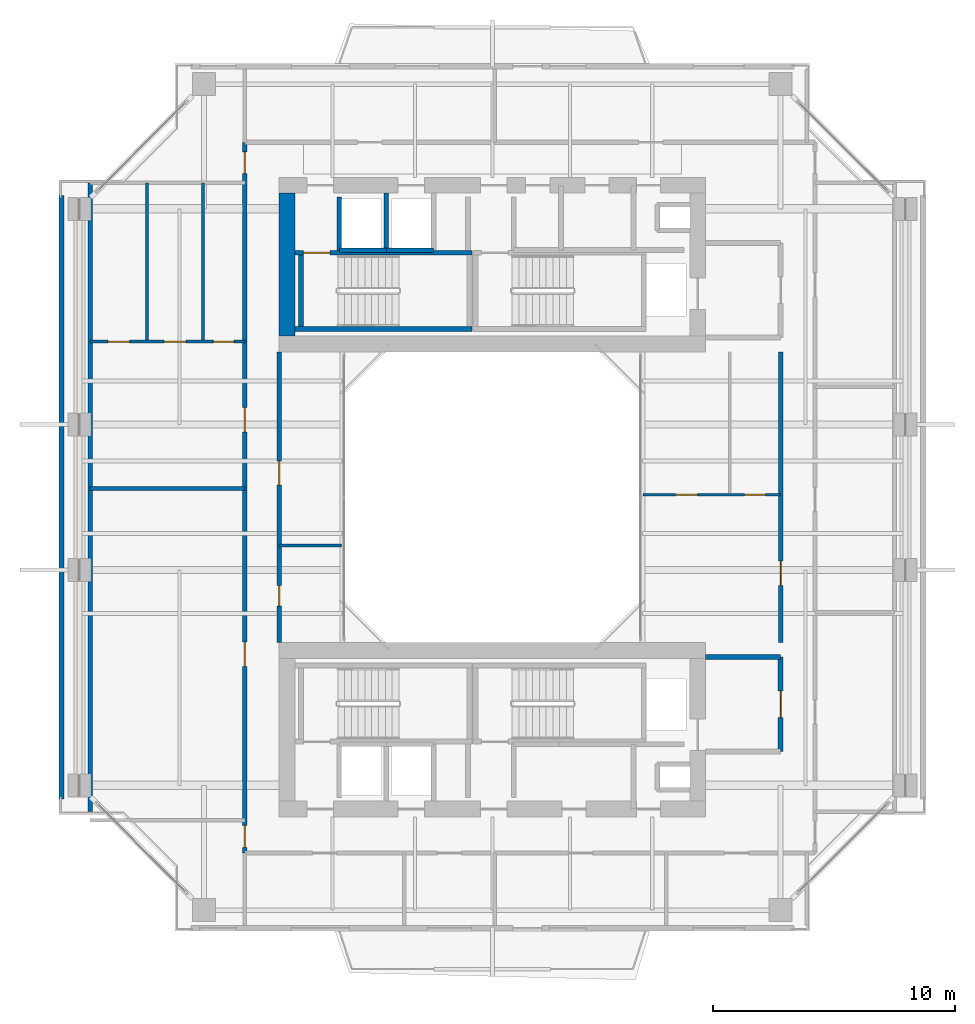
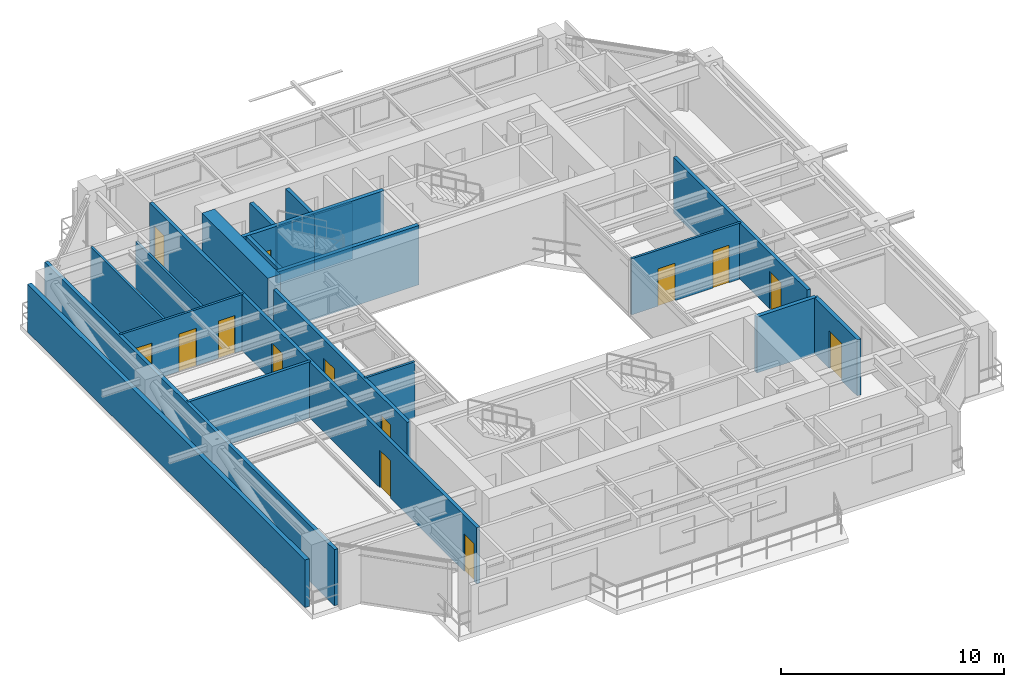
# One storey, part 9 of 14: 21 walls, 14 doors, 14 openings.
"""IFC4 building model written with IfcOpenShell, lengths in metres."""

from ifc_helpers import new_model, si_unit, direction, frame, frame_2d, origin, place, context, subcontext, project, spatial, rectangle, extrude, source, transform, mapped, material, layer, layer_set, type_object, element, fill, save


model = new_model("IFC4")

# Units and contexts
model_context = context("Model", 3, precision=1e-05, world=origin(), true_north=direction((0.0, 1.0)))
body_context = subcontext(model_context, "Body", "Model", "MODEL_VIEW")
ifc_project = project(units=[si_unit("LENGTHUNIT", "METRE"), si_unit("AREAUNIT", "SQUARE_METRE"), si_unit("VOLUMEUNIT", "CUBIC_METRE"), si_unit("PLANEANGLEUNIT", "RADIAN"), si_unit("MASSUNIT", "GRAM", prefix="KILO"), si_unit("THERMODYNAMICTEMPERATUREUNIT", "KELVIN"), si_unit("POWERUNIT", "WATT")], contexts=[model_context])

# Site, building, storey
site_placement = place(None, origin())
site = spatial("IfcSite", under=ifc_project, at=site_placement, CompositionType="ELEMENT")
building_placement = place(site_placement, origin())
building = spatial("IfcBuilding", under=site, at=building_placement, Name="Qiaomeng Ring Towers", CompositionType="ELEMENT")
storey_placement = place(building_placement, frame((0.0, 0.0, 176.25)))
storey = spatial("IfcBuildingStorey", under=building, at=storey_placement, Name="L51", CompositionType="ELEMENT", Elevation=176.25)

# Walls
ifc_material_1 = material(Name="Precast concrete C40", Category="concrete")
ifc_layer_1 = layer(ifc_material_1, 0.219970703125, Name="Precast concrete C40")
ifc_layer_set_1 = layer_set([ifc_layer_1], Name="Precast concrete C40")
wall_type_1 = type_object("IfcWallType", Name="ARC-WL-EW2", PredefinedType="STANDARD", material=ifc_layer_set_1)
wall_1_placement = place(storey_placement, frame((1.2099609375, 10.550048828125, 0.0), z_axis=(0.0, 0.0, 1.0), x_axis=(0.0, 1.0, 0.0)))
element("IfcWall", 1, at=wall_1_placement, inside=storey, type_object=wall_type_1, Name="L51 Tower 1 W Exterior Wall", PredefinedType="STANDARD", context=body_context, shape_type="SweptSolid", body=[
    extrude(rectangle(XDim=24.89990234375, YDim=0.219970703125, at=frame_2d((12.449951171875, 0.0))), origin(), (0.0, 0.0, 1.0), 2.610107421875),
])
ifc_material_2 = material(Name="Autoclaved aerated concrete block", Category="concrete")
ifc_layer_2 = layer(ifc_material_2, 0.199951171875, Name="Autoclaved aerated concrete block")
ifc_layer_set_2 = layer_set([ifc_layer_2], Name="Autoclaved aerated concrete block")
wall_type_2 = type_object("IfcWallType", Name="ARC-WL-PW1", PredefinedType="PARTITIONING", material=ifc_layer_set_2)
wall_2_placement = place(storey_placement, frame((27.800048828125, 16.39990234375, 0.0), z_axis=(0.0, 0.0, 1.0), x_axis=(1.0, 0.0, 0.0)))
element("IfcWall", 2, at=wall_2_placement, inside=storey, type_object=wall_type_2, Name="L51 Interior Wall PW1", PredefinedType="PARTITIONING", context=body_context, shape_type="SweptSolid", body=[
    extrude(rectangle(XDim=3.099853515625, YDim=0.199951171875, at=frame_2d((1.5498046875, 0.0))), origin(), (0.0, 0.0, 1.0), 3.070068359375),
])

# Wall, opening, door
wall_3_placement = place(storey_placement, frame((30.89990234375, 12.5, 0.0), z_axis=(0.0, 0.0, 1.0), x_axis=(0.0, 1.0, 0.0)))
wall_3 = element("IfcWall", 3, at=wall_3_placement, inside=storey, type_object=wall_type_2, Name="L51 Interior Wall PW1", PredefinedType="PARTITIONING", context=body_context, shape_type="SweptSolid", body=[
    extrude(rectangle(XDim=3.89990234375, YDim=0.199951171875, at=frame_2d((1.949951171875, 0.0))), origin(), (0.0, 0.0, 1.0), 3.070068359375),
])
opening_1_placement = place(wall_3_placement, frame((1.39990234375, 0.0, 0.0)))
opening_1 = element("IfcOpeningElement", 4, at=opening_1_placement, cuts=wall_3, Name="Opening FD3", PredefinedType="OPENING", context=body_context, shape_type="SweptSolid", body=[
    extrude(rectangle(XDim=1.10009765625, YDim=2.050048828125, at=frame_2d((0.550048828125, 1.02490234375))), frame((0.0, 0.10986328125, 0.0), z_axis=(0.0, -1.0, 0.0), x_axis=(1.0, 0.0, 0.0)), (0.0, 0.0, 1.0), 0.219970703125),
])
ifc_material_3 = material(Name="Galvanised steel", Category="steel")
door_type_1 = type_object("IfcDoorType", Name="ARC-DR-FD3", OperationType="NOTDEFINED", PredefinedType="DOOR", material=ifc_material_3)
shared_shape_1 = source(origin(), body_context, "Body", "SweptSolid", [
    extrude(rectangle(XDim=1.10009765625, YDim=2.050048828125, at=frame_2d((0.550048828125, 1.02490234375))), frame((0.0, 0.02490234375, 0.0), z_axis=(0.0, -1.0, 0.0), x_axis=(1.0, 0.0, 0.0)), (0.0, 0.0, 1.0), 0.050048828125),
])
door_1_placement = place(opening_1_placement, origin())
door_1 = element("IfcDoor", 5, at=door_1_placement, inside=storey, type_object=door_type_1, Name="L51 South FF Lobby Door", OperationType="SINGLE_SWING_RIGHT", OverallHeight=2.050048828125, OverallWidth=1.10009765625, PredefinedType="DOOR", context=body_context, shape_type="MappedRepresentation", body=[
    mapped(shared_shape_1, transform((0.0, 0.0, 0.0), x_axis=(1.0, 0.0, 0.0), y_axis=(0.0, 1.0, 0.0), z_axis=(0.0, 0.0, 1.0), scale=1.0)),
])
fill(opening_1, door_1)

# Walls
wall_4_placement = place(storey_placement, frame((12.679931640625, 33.18994140625, 0.0), z_axis=(0.0, 0.0, 1.0), x_axis=(0.0, 1.0, 0.0)))
element("IfcWall", 6, at=wall_4_placement, inside=storey, type_object=wall_type_2, Name="L51 Interior Wall PW1", PredefinedType="PARTITIONING", context=body_context, shape_type="SweptSolid", body=[
    extrude(rectangle(XDim=2.2099609375, YDim=0.199951171875, at=frame_2d((1.10498046875, 0.0))), origin(), (0.0, 0.0, 1.0), 3.070068359375),
])
ifc_layer_3 = layer(ifc_material_2, 0.179931640625, Name="Autoclaved aerated concrete block")
ifc_layer_set_3 = layer_set([ifc_layer_3], Name="Autoclaved aerated concrete block")
wall_type_3 = type_object("IfcWallType", Name="ARC-WL-PW2", PredefinedType="PARTITIONING", material=ifc_layer_set_3)
wall_5_placement = place(storey_placement, frame((2.39990234375, 10.02001953125, 0.0), z_axis=(0.0, 0.0, 1.0), x_axis=(0.0, 1.0, 0.0)))
element("IfcWall", 7, at=wall_5_placement, inside=storey, type_object=wall_type_3, Name="L51 Interior Wall PW2", PredefinedType="PARTITIONING", context=body_context, shape_type="SweptSolid", body=[
    extrude(rectangle(XDim=25.9599609375, YDim=0.179931640625, at=frame_2d((12.97998046875, 0.0))), origin(), (0.0, 0.0, 1.0), 3.070068359375),
])

# Wall, openings, doors
wall_6_placement = place(storey_placement, frame((8.780029296875, 8.31005859375, 0.0), z_axis=(0.0, 0.0, 1.0), x_axis=(0.0, 1.0, 0.0)))
wall_6 = element("IfcWall", 8, at=wall_6_placement, inside=storey, type_object=wall_type_3, Name="L51 Interior Wall PW2", PredefinedType="PARTITIONING", context=body_context, shape_type="SweptSolid", body=[
    extrude(rectangle(XDim=29.33984375, YDim=0.179931640625, at=frame_2d((14.669921875, 0.0))), origin(), (0.0, 0.0, 1.0), 3.070068359375),
])
opening_2_placement = place(wall_6_placement, frame((28.044921875, 0.0, 0.0)))
opening_2 = element("IfcOpeningElement", 9, at=opening_2_placement, cuts=wall_6, Name="Opening ID1", PredefinedType="OPENING", context=body_context, shape_type="SweptSolid", body=[
    extrude(rectangle(XDim=0.89990234375, YDim=2.050048828125, at=frame_2d((0.449951171875, 1.02490234375))), frame((0.0, 0.099853515625, 0.0), z_axis=(0.0, -1.0, 0.0), x_axis=(1.0, 0.0, 0.0)), (0.0, 0.0, 1.0), 0.199951171875),
])
opening_3_placement = place(wall_6_placement, frame((0.239990234375, 0.0, 0.0)))
opening_3 = element("IfcOpeningElement", 10, at=opening_3_placement, cuts=wall_6, Name="Opening ID1", PredefinedType="OPENING", context=body_context, shape_type="SweptSolid", body=[
    extrude(rectangle(XDim=0.89990234375, YDim=2.050048828125, at=frame_2d((0.449951171875, 1.02490234375))), frame((0.0, 0.099853515625, 0.0), z_axis=(0.0, -1.0, 0.0), x_axis=(1.0, 0.0, 0.0)), (0.0, 0.0, 1.0), 0.199951171875),
])
opening_4_placement = place(wall_6_placement, frame((7.705078125, 0.0, 0.0)))
opening_4 = element("IfcOpeningElement", 11, at=opening_4_placement, cuts=wall_6, Name="Opening FD4", PredefinedType="OPENING", context=body_context, shape_type="SweptSolid", body=[
    extrude(rectangle(XDim=1.0, YDim=2.050048828125, at=frame_2d((0.5, 1.02490234375))), frame((0.0, 0.099853515625, 0.0), z_axis=(0.0, -1.0, 0.0), x_axis=(1.0, 0.0, 0.0)), (0.0, 0.0, 1.0), 0.199951171875),
])
opening_5_placement = place(wall_6_placement, frame((17.389892578125, 0.0, 0.0)))
opening_5 = element("IfcOpeningElement", 12, at=opening_5_placement, cuts=wall_6, Name="Opening FD4", PredefinedType="OPENING", context=body_context, shape_type="SweptSolid", body=[
    extrude(rectangle(XDim=1.0, YDim=2.050048828125, at=frame_2d((0.5, 1.02490234375))), frame((0.0, 0.099853515625, 0.0), z_axis=(0.0, -1.0, 0.0), x_axis=(1.0, 0.0, 0.0)), (0.0, 0.0, 1.0), 0.199951171875),
])
ifc_material_4 = material(Name="Engineered fire-rated oak timber", Category="wood")
door_type_2 = type_object("IfcDoorType", Name="ARC-DR-FD4", OperationType="NOTDEFINED", PredefinedType="DOOR", material=ifc_material_4)
shared_shape_2 = source(origin(), body_context, "Body", "SweptSolid", [
    extrude(rectangle(XDim=1.0, YDim=2.050048828125, at=frame_2d((0.5, 1.02490234375))), frame((0.0, 0.02490234375, 0.0), z_axis=(0.0, -1.0, 0.0), x_axis=(1.0, 0.0, 0.0)), (0.0, 0.0, 1.0), 0.050048828125),
])
door_2_placement = place(opening_4_placement, origin())
door_2 = element("IfcDoor", 13, at=door_2_placement, inside=storey, type_object=door_type_2, Name="L51 Door FD4", OperationType="SINGLE_SWING_RIGHT", OverallHeight=2.050048828125, OverallWidth=1.0, PredefinedType="DOOR", context=body_context, shape_type="MappedRepresentation", body=[
    mapped(shared_shape_2, transform((0.0, 0.0, 0.0), x_axis=(1.0, 0.0, 0.0), y_axis=(0.0, 1.0, 0.0), z_axis=(0.0, 0.0, 1.0), scale=1.0)),
])
fill(opening_4, door_2)
door_3_placement = place(opening_5_placement, origin())
door_3 = element("IfcDoor", 14, at=door_3_placement, inside=storey, type_object=door_type_2, Name="L51 Door FD4", OperationType="SINGLE_SWING_RIGHT", OverallHeight=2.050048828125, OverallWidth=1.0, PredefinedType="DOOR", context=body_context, shape_type="MappedRepresentation", body=[
    mapped(shared_shape_2, transform((0.0, 0.0, 0.0), x_axis=(1.0, 0.0, 0.0), y_axis=(0.0, 1.0, 0.0), z_axis=(0.0, 0.0, 1.0), scale=1.0)),
])
fill(opening_5, door_3)
ifc_material_5 = material(Name="Engineered oak timber", Category="wood")
door_type_3 = type_object("IfcDoorType", Name="ARC-DR-ID1", OperationType="NOTDEFINED", PredefinedType="DOOR", material=ifc_material_5)
shared_shape_3 = source(origin(), body_context, "Body", "SweptSolid", [
    extrude(rectangle(XDim=0.89990234375, YDim=2.050048828125, at=frame_2d((0.449951171875, 1.02490234375))), frame((0.0, 0.02490234375, 0.0), z_axis=(0.0, -1.0, 0.0), x_axis=(1.0, 0.0, 0.0)), (0.0, 0.0, 1.0), 0.050048828125),
])
door_4_placement = place(opening_2_placement, origin())
door_4 = element("IfcDoor", 15, at=door_4_placement, inside=storey, type_object=door_type_3, Name="L51 Door ID1", OperationType="SINGLE_SWING_RIGHT", OverallHeight=2.050048828125, OverallWidth=0.89990234375, PredefinedType="DOOR", context=body_context, shape_type="MappedRepresentation", body=[
    mapped(shared_shape_3, transform((0.0, 0.0, 0.0), x_axis=(1.0, 0.0, 0.0), y_axis=(0.0, 1.0, 0.0), z_axis=(0.0, 0.0, 1.0), scale=1.0)),
])
fill(opening_2, door_4)
door_5_placement = place(opening_3_placement, origin())
door_5 = element("IfcDoor", 16, at=door_5_placement, inside=storey, type_object=door_type_3, Name="L51 Door ID1", OperationType="SINGLE_SWING_LEFT", OverallHeight=2.050048828125, OverallWidth=0.89990234375, PredefinedType="DOOR", context=body_context, shape_type="MappedRepresentation", body=[
    mapped(shared_shape_3, transform((0.0, 0.0, 0.0), x_axis=(1.0, 0.0, 0.0), y_axis=(0.0, 1.0, 0.0), z_axis=(0.0, 0.0, 1.0), scale=1.0)),
])
fill(opening_3, door_5)

wall_7_placement = place(storey_placement, frame((10.199951171875, 17.0, 0.0), z_axis=(0.0, 0.0, 1.0), x_axis=(0.0, 1.0, 0.0)))
wall_7 = element("IfcWall", 17, at=wall_7_placement, inside=storey, type_object=wall_type_3, Name="L51 Interior Wall PW2", PredefinedType="PARTITIONING", context=body_context, shape_type="SweptSolid", body=[
    extrude(rectangle(XDim=12.0, YDim=0.179931640625, at=frame_2d((6.0, 0.0))), origin(), (0.0, 0.0, 1.0), 3.070068359375),
])
opening_6_placement = place(wall_7_placement, frame((1.5, 0.0, 0.0)))
opening_6 = element("IfcOpeningElement", 18, at=opening_6_placement, cuts=wall_7, Name="Opening ID2", PredefinedType="OPENING", context=body_context, shape_type="SweptSolid", body=[
    extrude(rectangle(XDim=0.85009765625, YDim=2.050048828125, at=frame_2d((0.425048828125, 1.02490234375))), frame((0.0, 0.099853515625, 0.0), z_axis=(0.0, -1.0, 0.0), x_axis=(1.0, 0.0, 0.0)), (0.0, 0.0, 1.0), 0.199951171875),
])
opening_7_placement = place(wall_7_placement, frame((6.5, 0.0, 0.0)))
opening_7 = element("IfcOpeningElement", 19, at=opening_7_placement, cuts=wall_7, Name="Opening FD4", PredefinedType="OPENING", context=body_context, shape_type="SweptSolid", body=[
    extrude(rectangle(XDim=1.0, YDim=2.050048828125, at=frame_2d((0.5, 1.02490234375))), frame((0.0, 0.099853515625, 0.0), z_axis=(0.0, -1.0, 0.0), x_axis=(1.0, 0.0, 0.0)), (0.0, 0.0, 1.0), 0.199951171875),
])
door_6_placement = place(opening_7_placement, origin())
door_6 = element("IfcDoor", 20, at=door_6_placement, inside=storey, type_object=door_type_2, Name="L51 Door FD4", OperationType="SINGLE_SWING_RIGHT", OverallHeight=2.050048828125, OverallWidth=1.0, PredefinedType="DOOR", context=body_context, shape_type="MappedRepresentation", body=[
    mapped(shared_shape_2, transform((0.0, 0.0, 0.0), x_axis=(1.0, 0.0, 0.0), y_axis=(0.0, 1.0, 0.0), z_axis=(0.0, 0.0, 1.0), scale=1.0)),
])
fill(opening_7, door_6)
ifc_material_6 = material(Name="Moisture-resistant engineered timber", Category="wood")
door_type_4 = type_object("IfcDoorType", Name="ARC-DR-ID2", OperationType="NOTDEFINED", PredefinedType="DOOR", material=ifc_material_6)
shared_shape_4 = source(origin(), body_context, "Body", "SweptSolid", [
    extrude(rectangle(XDim=0.85009765625, YDim=2.050048828125, at=frame_2d((0.425048828125, 1.02490234375))), frame((0.0, 0.02490234375, 0.0), z_axis=(0.0, -1.0, 0.0), x_axis=(1.0, 0.0, 0.0)), (0.0, 0.0, 1.0), 0.050048828125),
])
door_7_placement = place(opening_6_placement, origin())
door_7 = element("IfcDoor", 21, at=door_7_placement, inside=storey, type_object=door_type_4, Name="L51 Door ID2", OperationType="SINGLE_SWING_LEFT", OverallHeight=2.050048828125, OverallWidth=0.85009765625, PredefinedType="DOOR", context=body_context, shape_type="MappedRepresentation", body=[
    mapped(shared_shape_4, transform((0.0, 0.0, 0.0), x_axis=(1.0, 0.0, 0.0), y_axis=(0.0, 1.0, 0.0), z_axis=(0.0, 0.0, 1.0), scale=1.0)),
])
fill(opening_6, door_7)

# Wall, opening, door
wall_8_placement = place(storey_placement, frame((30.89990234375, 17.0, 0.0), z_axis=(0.0, 0.0, 1.0), x_axis=(0.0, 1.0, 0.0)))
wall_8 = element("IfcWall", 22, at=wall_8_placement, inside=storey, type_object=wall_type_3, Name="L51 Interior Wall PW2", PredefinedType="PARTITIONING", context=body_context, shape_type="SweptSolid", body=[
    extrude(rectangle(XDim=12.0, YDim=0.179931640625, at=frame_2d((6.0, 0.0))), origin(), (0.0, 0.0, 1.0), 3.070068359375),
])
opening_8_placement = place(wall_8_placement, frame((2.360107421875, 0.0, 0.0)))
opening_8 = element("IfcOpeningElement", 23, at=opening_8_placement, cuts=wall_8, Name="Opening FD4", PredefinedType="OPENING", context=body_context, shape_type="SweptSolid", body=[
    extrude(rectangle(XDim=1.0, YDim=2.050048828125, at=frame_2d((0.5, 1.02490234375))), frame((0.0, 0.099853515625, 0.0), z_axis=(0.0, -1.0, 0.0), x_axis=(1.0, 0.0, 0.0)), (0.0, 0.0, 1.0), 0.199951171875),
])
door_8_placement = place(opening_8_placement, origin())
door_8 = element("IfcDoor", 24, at=door_8_placement, inside=storey, type_object=door_type_2, Name="L51 Door FD4", OperationType="SINGLE_SWING_RIGHT", OverallHeight=2.050048828125, OverallWidth=1.0, PredefinedType="DOOR", context=body_context, shape_type="MappedRepresentation", body=[
    mapped(shared_shape_2, transform((0.0, 0.0, 0.0), x_axis=(1.0, 0.0, 0.0), y_axis=(0.0, 1.0, 0.0), z_axis=(0.0, 0.0, 1.0), scale=1.0)),
])
fill(opening_8, door_8)

# Wall
ifc_material_7 = material(Name="Gypsum fireboard steel-stud partition", Category="steel")
ifc_layer_4 = layer(ifc_material_7, 0.14990234375, Name="Gypsum fireboard steel-stud partition")
ifc_layer_set_4 = layer_set([ifc_layer_4], Name="Gypsum fireboard steel-stud partition")
wall_type_4 = type_object("IfcWallType", Name="ARC-WL-PW3", PredefinedType="PARTITIONING", material=ifc_layer_set_4)
wall_9_placement = place(storey_placement, frame((2.39990234375, 23.360107421875, 0.0), z_axis=(0.0, 0.0, 1.0), x_axis=(1.0, 0.0, 0.0)))
element("IfcWall", 25, at=wall_9_placement, inside=storey, type_object=wall_type_4, Name="L51 Interior Wall PW3", PredefinedType="PARTITIONING", context=body_context, shape_type="SweptSolid", body=[
    extrude(rectangle(XDim=6.380126953125, YDim=0.14990234375, at=frame_2d((3.18994140625, 0.0))), origin(), (0.0, 0.0, 1.0), 3.070068359375),
])

# Wall, openings, doors
ifc_material_8 = material(Name="Moisture-resistant gypsum steel-stud partition", Category="steel")
ifc_layer_5 = layer(ifc_material_8, 0.1201171875, Name="Moisture-resistant gypsum steel-stud partition")
ifc_layer_set_5 = layer_set([ifc_layer_5], Name="Moisture-resistant gypsum steel-stud partition")
wall_type_5 = type_object("IfcWallType", Name="ARC-WL-PW4", PredefinedType="PLUMBINGWALL", material=ifc_layer_set_5)
wall_10_placement = place(storey_placement, frame((2.39990234375, 29.419921875, 0.0), z_axis=(0.0, 0.0, 1.0), x_axis=(1.0, 0.0, 0.0)))
wall_10 = element("IfcWall", 26, at=wall_10_placement, inside=storey, type_object=wall_type_5, Name="L51 Interior Wall PW4", PredefinedType="PLUMBINGWALL", context=body_context, shape_type="SweptSolid", body=[
    extrude(rectangle(XDim=6.380126953125, YDim=0.1201171875, at=frame_2d((3.18994140625, 0.0))), origin(), (0.0, 0.0, 1.0), 3.070068359375),
])
opening_9_placement = place(wall_10_placement, frame((0.72998046875, 0.0, 0.0)))
opening_9 = element("IfcOpeningElement", 27, at=opening_9_placement, cuts=wall_10, Name="Opening ID1", PredefinedType="OPENING", context=body_context, shape_type="SweptSolid", body=[
    extrude(rectangle(XDim=0.89990234375, YDim=2.050048828125, at=frame_2d((0.449951171875, 1.02490234375))), frame((0.0, 0.070068359375, 0.0), z_axis=(0.0, -1.0, 0.0), x_axis=(1.0, 0.0, 0.0)), (0.0, 0.0, 1.0), 0.14013671875),
])
opening_10_placement = place(wall_10_placement, frame((3.050048828125, 0.0, 0.0)))
opening_10 = element("IfcOpeningElement", 28, at=opening_10_placement, cuts=wall_10, Name="Opening ID1", PredefinedType="OPENING", context=body_context, shape_type="SweptSolid", body=[
    extrude(rectangle(XDim=0.89990234375, YDim=2.050048828125, at=frame_2d((0.449951171875, 1.02490234375))), frame((0.0, 0.070068359375, 0.0), z_axis=(0.0, -1.0, 0.0), x_axis=(1.0, 0.0, 0.0)), (0.0, 0.0, 1.0), 0.14013671875),
])
opening_11_placement = place(wall_10_placement, frame((5.0849609375, 0.0, 0.0)))
opening_11 = element("IfcOpeningElement", 29, at=opening_11_placement, cuts=wall_10, Name="Opening ID2", PredefinedType="OPENING", context=body_context, shape_type="SweptSolid", body=[
    extrude(rectangle(XDim=0.85009765625, YDim=2.050048828125, at=frame_2d((0.425048828125, 1.02490234375))), frame((0.0, 0.070068359375, 0.0), z_axis=(0.0, -1.0, 0.0), x_axis=(1.0, 0.0, 0.0)), (0.0, 0.0, 1.0), 0.14013671875),
])
door_9_placement = place(opening_11_placement, origin())
door_9 = element("IfcDoor", 30, at=door_9_placement, inside=storey, type_object=door_type_4, Name="L51 Door ID2", OperationType="SINGLE_SWING_LEFT", OverallHeight=2.050048828125, OverallWidth=0.85009765625, PredefinedType="DOOR", context=body_context, shape_type="MappedRepresentation", body=[
    mapped(shared_shape_4, transform((0.0, 0.0, 0.0), x_axis=(1.0, 0.0, 0.0), y_axis=(0.0, 1.0, 0.0), z_axis=(0.0, 0.0, 1.0), scale=1.0)),
])
fill(opening_11, door_9)
door_10_placement = place(opening_9_placement, origin())
door_10 = element("IfcDoor", 31, at=door_10_placement, inside=storey, type_object=door_type_3, Name="L51 Door ID1", OperationType="SINGLE_SWING_LEFT", OverallHeight=2.050048828125, OverallWidth=0.89990234375, PredefinedType="DOOR", context=body_context, shape_type="MappedRepresentation", body=[
    mapped(shared_shape_3, transform((0.0, 0.0, 0.0), x_axis=(1.0, 0.0, 0.0), y_axis=(0.0, 1.0, 0.0), z_axis=(0.0, 0.0, 1.0), scale=1.0)),
])
fill(opening_9, door_10)
door_11_placement = place(opening_10_placement, origin())
door_11 = element("IfcDoor", 32, at=door_11_placement, inside=storey, type_object=door_type_3, Name="L51 Door ID1", OperationType="SINGLE_SWING_RIGHT", OverallHeight=2.050048828125, OverallWidth=0.89990234375, PredefinedType="DOOR", context=body_context, shape_type="MappedRepresentation", body=[
    mapped(shared_shape_3, transform((0.0, 0.0, 0.0), x_axis=(1.0, 0.0, 0.0), y_axis=(0.0, 1.0, 0.0), z_axis=(0.0, 0.0, 1.0), scale=1.0)),
])
fill(opening_10, door_11)

# Walls
wall_11_placement = place(storey_placement, frame((4.739990234375, 29.419921875, 0.0), z_axis=(0.0, 0.0, 1.0), x_axis=(0.0, 1.0, 0.0)))
element("IfcWall", 33, at=wall_11_placement, inside=storey, type_object=wall_type_5, Name="L51 Interior Wall PW4", PredefinedType="PLUMBINGWALL", context=body_context, shape_type="SweptSolid", body=[
    extrude(rectangle(XDim=6.56005859375, YDim=0.1201171875, at=frame_2d((3.280029296875, 0.0))), origin(), (0.0, 0.0, 1.0), 3.070068359375),
])
wall_12_placement = place(storey_placement, frame((7.06005859375, 29.419921875, 0.0), z_axis=(0.0, 0.0, 1.0), x_axis=(0.0, 1.0, 0.0)))
element("IfcWall", 34, at=wall_12_placement, inside=storey, type_object=wall_type_5, Name="L51 Interior Wall PW4", PredefinedType="PLUMBINGWALL", context=body_context, shape_type="SweptSolid", body=[
    extrude(rectangle(XDim=6.56005859375, YDim=0.1201171875, at=frame_2d((3.280029296875, 0.0))), origin(), (0.0, 0.0, 1.0), 2.56494140625),
])
wall_13_placement = place(storey_placement, frame((10.199951171875, 21.0, 0.0), z_axis=(0.0, 0.0, 1.0), x_axis=(1.0, 0.0, 0.0)))
element("IfcWall", 35, at=wall_13_placement, inside=storey, type_object=wall_type_5, Name="L51 Interior Wall PW4", PredefinedType="PLUMBINGWALL", context=body_context, shape_type="SweptSolid", body=[
    extrude(rectangle(XDim=2.580078125, YDim=0.1201171875, at=frame_2d((1.2900390625, 0.0))), origin(), (0.0, 0.0, 1.0), 3.070068359375),
])

# Wall, openings, doors
wall_14_placement = place(storey_placement, frame((25.219970703125, 23.10009765625, 0.0), z_axis=(0.0, 0.0, 1.0), x_axis=(1.0, 0.0, 0.0)))
wall_14 = element("IfcWall", 36, at=wall_14_placement, inside=storey, type_object=wall_type_5, Name="L51 Interior Wall PW4", PredefinedType="PLUMBINGWALL", context=body_context, shape_type="SweptSolid", body=[
    extrude(rectangle(XDim=5.679931640625, YDim=0.1201171875, at=frame_2d((2.83984375, 0.0))), origin(), (0.0, 0.0, 1.0), 3.070068359375),
])
opening_12_placement = place(wall_14_placement, frame((1.35009765625, 0.0, 0.0)))
opening_12 = element("IfcOpeningElement", 37, at=opening_12_placement, cuts=wall_14, Name="Opening ID1", PredefinedType="OPENING", context=body_context, shape_type="SweptSolid", body=[
    extrude(rectangle(XDim=0.89990234375, YDim=2.050048828125, at=frame_2d((0.449951171875, 1.02490234375))), frame((0.0, 0.070068359375, 0.0), z_axis=(0.0, -1.0, 0.0), x_axis=(1.0, 0.0, 0.0)), (0.0, 0.0, 1.0), 0.14013671875),
])
opening_13_placement = place(wall_14_placement, frame((4.195068359375, 0.0, 0.0)))
opening_13 = element("IfcOpeningElement", 38, at=opening_13_placement, cuts=wall_14, Name="Opening ID2", PredefinedType="OPENING", context=body_context, shape_type="SweptSolid", body=[
    extrude(rectangle(XDim=0.85009765625, YDim=2.050048828125, at=frame_2d((0.425048828125, 1.02490234375))), frame((0.0, 0.070068359375, 0.0), z_axis=(0.0, -1.0, 0.0), x_axis=(1.0, 0.0, 0.0)), (0.0, 0.0, 1.0), 0.14013671875),
])
door_12_placement = place(opening_13_placement, origin())
door_12 = element("IfcDoor", 39, at=door_12_placement, inside=storey, type_object=door_type_4, Name="L51 Door ID2", OperationType="SINGLE_SWING_LEFT", OverallHeight=2.050048828125, OverallWidth=0.85009765625, PredefinedType="DOOR", context=body_context, shape_type="MappedRepresentation", body=[
    mapped(shared_shape_4, transform((0.0, 0.0, 0.0), x_axis=(1.0, 0.0, 0.0), y_axis=(0.0, 1.0, 0.0), z_axis=(0.0, 0.0, 1.0), scale=1.0)),
])
fill(opening_13, door_12)
door_13_placement = place(opening_12_placement, origin())
door_13 = element("IfcDoor", 40, at=door_13_placement, inside=storey, type_object=door_type_3, Name="L51 Door ID1", OperationType="SINGLE_SWING_RIGHT", OverallHeight=2.050048828125, OverallWidth=0.89990234375, PredefinedType="DOOR", context=body_context, shape_type="MappedRepresentation", body=[
    mapped(shared_shape_3, transform((0.0, 0.0, 0.0), x_axis=(1.0, 0.0, 0.0), y_axis=(0.0, 1.0, 0.0), z_axis=(0.0, 0.0, 1.0), scale=1.0)),
])
fill(opening_12, door_13)

# Walls
ifc_material_9 = material(Name="Concrete C40", Category="concrete")
ifc_layer_6 = layer(ifc_material_9, 0.199951171875, Name="Concrete C40")
ifc_layer_set_6 = layer_set([ifc_layer_6], Name="Concrete C40")
wall_type_6 = type_object("IfcWallType", Name="STR-WL-STSHAFT", PredefinedType="SHEAR", material=ifc_layer_set_6)
wall_15_placement = place(storey_placement, frame((12.679931640625, 33.199951171875, 0.0), z_axis=(0.0, 0.0, 1.0), x_axis=(1.0, 0.0, 0.0)))
element("IfcWall", 41, at=wall_15_placement, inside=storey, type_object=wall_type_6, Name="L51 Lift LP5 Shaft Back Wall", PredefinedType="SHEAR", context=body_context, shape_type="SweptSolid", body=[
    extrude(rectangle(XDim=1.940185546875, YDim=0.179931640625, at=frame_2d((0.97021484375, 0.0))), origin(), (0.0, 0.0, 1.0), 3.070068359375),
])
wall_16_placement = place(storey_placement, frame((14.6201171875, 33.199951171875, 0.0), z_axis=(0.0, 0.0, 1.0), x_axis=(0.0, 1.0, 0.0)))
element("IfcWall", 42, at=wall_16_placement, inside=storey, type_object=wall_type_6, Name="L51 Lift LP5-LP3 Shaft Divider Wall", PredefinedType="SHEAR", context=body_context, shape_type="SweptSolid", body=[
    extrude(rectangle(XDim=2.35009765625, YDim=0.179931640625, at=frame_2d((1.175048828125, 0.0))), origin(), (0.0, 0.0, 1.0), 3.070068359375),
])
wall_17_placement = place(storey_placement, frame((14.6201171875, 33.199951171875, 0.0), z_axis=(0.0, 0.0, 1.0), x_axis=(1.0, 0.0, 0.0)))
element("IfcWall", 43, at=wall_17_placement, inside=storey, type_object=wall_type_6, Name="L51 Lift LP3 Shaft Back Wall", PredefinedType="SHEAR", context=body_context, shape_type="SweptSolid", body=[
    extrude(rectangle(XDim=1.9599609375, YDim=0.179931640625, at=frame_2d((0.97998046875, 0.0))), origin(), (0.0, 0.0, 1.0), 3.070068359375),
])
wall_18_placement = place(storey_placement, frame((10.85009765625, 29.949951171875, 0.0), z_axis=(0.0, 0.0, 1.0), x_axis=(1.0, 0.0, 0.0)))
element("IfcWall", 44, at=wall_18_placement, inside=storey, type_object=wall_type_6, Name="L51 Stair ST1 South Shaft Shear Wall", PredefinedType="SHEAR", context=body_context, shape_type="SweptSolid", body=[
    extrude(rectangle(XDim=7.2998046875, YDim=0.199951171875, at=frame_2d((3.64990234375, 0.0))), origin(), (0.0, 0.0, 1.0), 3.25),
])

# Wall, opening, door
wall_19_placement = place(storey_placement, frame((10.85009765625, 33.090087890625, 0.0), z_axis=(0.0, 0.0, 1.0), x_axis=(1.0, 0.0, 0.0)))
wall_19 = element("IfcWall", 45, at=wall_19_placement, inside=storey, type_object=wall_type_6, Name="L51 Stair ST1 North Shaft Shear Wall", PredefinedType="SHEAR", context=body_context, shape_type="SweptSolid", body=[
    extrude(rectangle(XDim=7.2998046875, YDim=0.199951171875, at=frame_2d((3.64990234375, 0.0))), origin(), (0.0, 0.0, 1.0), 3.25),
])
opening_14_placement = place(wall_19_placement, frame((0.35009765625, 0.0, 0.0)))
opening_14 = element("IfcOpeningElement", 46, at=opening_14_placement, cuts=wall_19, Name="Opening FD3", PredefinedType="OPENING", context=body_context, shape_type="SweptSolid", body=[
    extrude(rectangle(XDim=1.10009765625, YDim=2.050048828125, at=frame_2d((0.550048828125, 1.02490234375))), frame((0.0, 0.10986328125, 0.0), z_axis=(0.0, -1.0, 0.0), x_axis=(1.0, 0.0, 0.0)), (0.0, 0.0, 1.0), 0.219970703125),
])
door_14_placement = place(opening_14_placement, origin())
door_14 = element("IfcDoor", 47, at=door_14_placement, inside=storey, type_object=door_type_1, Name="L51 Stair ST1 Exit Door", OperationType="SINGLE_SWING_RIGHT", OverallHeight=2.050048828125, OverallWidth=1.10009765625, PredefinedType="DOOR", context=body_context, shape_type="MappedRepresentation", body=[
    mapped(shared_shape_1, transform((0.0, 0.0, 0.0), x_axis=(1.0, 0.0, 0.0), y_axis=(0.0, 1.0, 0.0), z_axis=(0.0, 0.0, 1.0), scale=1.0)),
])
fill(opening_14, door_14)

# Walls
wall_20_placement = place(storey_placement, frame((11.10009765625, 30.050048828125, 0.0), z_axis=(0.0, 0.0, 1.0), x_axis=(0.0, 1.0, 0.0)))
element("IfcWall", 48, at=wall_20_placement, inside=storey, type_object=wall_type_6, Name="L51 Stair ST1 West Shaft Shear Wall", PredefinedType="SHEAR", context=body_context, shape_type="SweptSolid", body=[
    extrude(rectangle(XDim=2.93994140625, YDim=0.199951171875, at=frame_2d((1.469970703125, 0.0))), origin(), (0.0, 0.0, 1.0), 3.25),
])
ifc_material_10 = material(Name="Concrete C50", Category="concrete")
ifc_layer_7 = layer(ifc_material_10, 0.64990234375, Name="Concrete C50")
ifc_layer_set_7 = layer_set([ifc_layer_7], Name="Concrete C50")
wall_type_7 = type_object("IfcWallType", Name="STR-WL-SW2B", PredefinedType="SHEAR", material=ifc_layer_set_7)
wall_21_placement = place(storey_placement, frame((10.52490234375, 29.64990234375, 0.0), z_axis=(0.0, 0.0, 1.0), x_axis=(0.0, 1.0, 0.0)))
element("IfcWall", 49, at=wall_21_placement, inside=storey, type_object=wall_type_7, Name="L51 T1NC west core shear wall", PredefinedType="SHEAR", context=body_context, shape_type="SweptSolid", body=[
    extrude(rectangle(XDim=5.900146484375, YDim=0.64990234375, at=frame_2d((2.9501953125, 0.0))), origin(), (0.0, 0.0, 1.0), 3.25),
])

save(model, "model.ifc")
